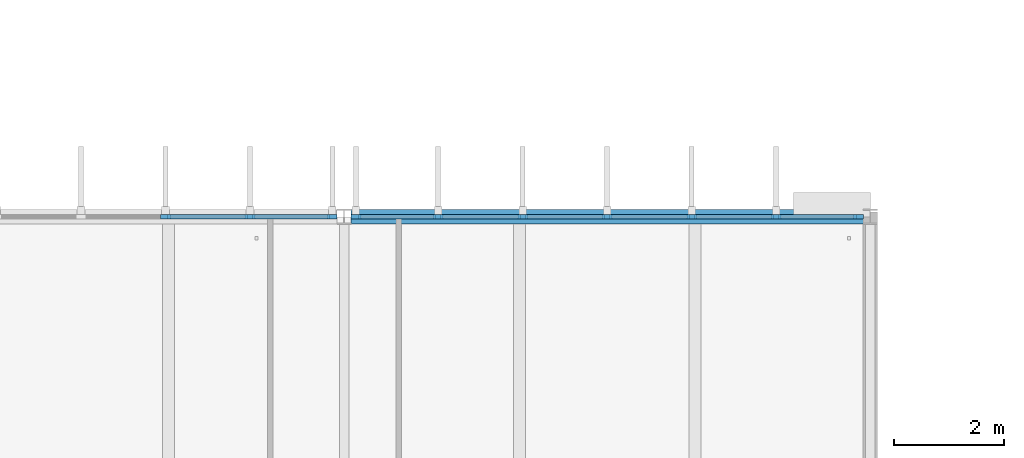
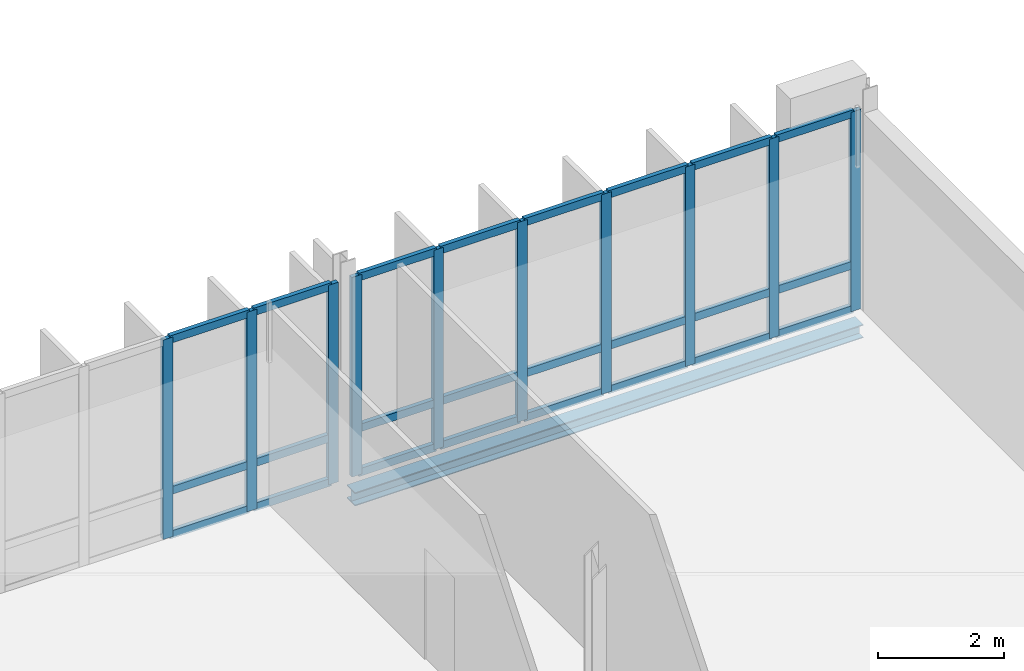
# One storey, part 26 of 59: 34 members, 1 beam, 2 elements without a shape of their own.
"""IFC4 building model written with IfcOpenShell, lengths in metres."""

import ifcopenshell
import ifcopenshell.guid

model = None  # the IFC model being written
_history = None  # IfcOwnerHistory: only IFC2X3 demands one
_inside = {}  # id of a spatial element -> (the spatial element, [elements in it])
_under = {}  # id of a project, library or spatial element -> (it, [spatial elements below it])
_declared = {}  # id of a project -> (the project, [libraries it declares])
_typed = {}  # id of a type object -> (the type object, [elements of that type])
_made_of = {}  # id of a material, layer set ... -> (it, [elements and type objects made of it])


def new_model(schema):
    """Start an empty IFC model of exactly this schema.

    Asked for "IFC4X3", IfcOpenShell would pick the latest addendum, in which some entities
    have other attributes; the version numbers below select the first issue.
    IFC2X3 requires an IfcOwnerHistory on every rooted entity: one is made here for all.
    """
    global model, _history
    if schema == "IFC4X3":
        model = ifcopenshell.file(schema_version=(4, 3, 0, 0))
    else:
        model = ifcopenshell.file(schema=schema)
    _inside.clear()
    _under.clear()
    _declared.clear()
    _typed.clear()
    _made_of.clear()
    _history = None
    if model.schema == "IFC2X3":
        org = make("IfcOrganization", Name="unknown")
        user = make(
            "IfcPersonAndOrganization",
            ThePerson=make("IfcPerson", FamilyName="unknown"),
            TheOrganization=org,
        )
        app = make(
            "IfcApplication",
            ApplicationDeveloper=org,
            Version="unknown",
            ApplicationFullName="unknown",
            ApplicationIdentifier="unknown",
        )
        _history = make(
            "IfcOwnerHistory",
            OwningUser=user,
            OwningApplication=app,
            ChangeAction="ADDED",
            CreationDate=0,
        )
    return model


def make(cls, **values):
    """One entity of the class cls with the attributes given. An attribute that is None is left unset."""
    return model.create_entity(
        cls, **{name: value for name, value in values.items() if value is not None}
    )


def rooted(cls, **values):
    """An entity with a GlobalId (a new one), such as an element, a storey or a relation."""
    return make(cls, GlobalId=ifcopenshell.guid.new(), OwnerHistory=_history, **values)


def si_unit(unit_type, name, prefix=None):
    """IfcSIUnit, for example si_unit("LENGTHUNIT", "METRE", prefix="MILLI")."""
    return make("IfcSIUnit", UnitType=unit_type, Prefix=prefix, Name=name)


def assignment(units):
    """IfcUnitAssignment: the units of a project."""
    return None if units is None else make("IfcUnitAssignment", Units=units)


def point(xyz):
    """IfcCartesianPoint."""
    return None if xyz is None else make("IfcCartesianPoint", Coordinates=xyz)


def direction(xyz):
    """IfcDirection."""
    return None if xyz is None else make("IfcDirection", DirectionRatios=xyz)


def frame(location, z_axis=None, x_axis=None):
    """IfcAxis2Placement3D, a coordinate frame: its origin and axes. An axis left out is left unset."""
    return make(
        "IfcAxis2Placement3D",
        Location=point(location),
        Axis=direction(z_axis),
        RefDirection=direction(x_axis),
    )


def frame_2d(location, x_axis=None):
    """IfcAxis2Placement2D, a coordinate frame in the plane: its origin and x axis."""
    return make(
        "IfcAxis2Placement2D", Location=point(location), RefDirection=direction(x_axis)
    )


def origin():
    """The frame at (0, 0, 0) with its axes left unset."""
    return frame((0.0, 0.0, 0.0))


def origin_2d():
    """The frame at (0, 0) in the plane with its x axis left unset."""
    return frame_2d((0.0, 0.0))


def place(relative_to, where):
    """IfcLocalPlacement: puts the frame where relative to a parent placement (None: the world)."""
    return make(
        "IfcLocalPlacement", PlacementRelTo=relative_to, RelativePlacement=where
    )


def context(
    kind, dimensions, precision=None, world=None, true_north=None, identifier=None
):
    """IfcGeometricRepresentationContext, for example the 3D "Model" context."""
    return make(
        "IfcGeometricRepresentationContext",
        ContextIdentifier=identifier,
        ContextType=kind,
        CoordinateSpaceDimension=dimensions,
        Precision=precision,
        WorldCoordinateSystem=world,
        TrueNorth=true_north,
    )


def subcontext(parent, identifier, kind, view, scale=None):
    """IfcGeometricRepresentationSubContext, for example "Body" below "Model"."""
    return make(
        "IfcGeometricRepresentationSubContext",
        ContextIdentifier=identifier,
        ContextType=kind,
        ParentContext=parent,
        TargetScale=scale,
        TargetView=view,
    )


def project(units=None, contexts=None):
    """IfcProject with its units and contexts."""
    return rooted(
        "IfcProject",
        Name="project",
        RepresentationContexts=contexts,
        UnitsInContext=assignment(units),
    )


def spatial(cls, under=None, at=None, **own):
    """A site, building, storey or space (cls), placed at a placement, below another one or the project."""
    s = rooted(cls, ObjectPlacement=at, **own)
    if under is not None:
        _under.setdefault(under.id(), (under, []))[1].append(s)
    return s


def profile(cls, at=None, kind="AREA", **sizes):
    """A parametric profile (cls). Its sizes go by their IFC names, for example OverallWidth=200.0."""
    return make(cls, ProfileType=kind, Position=at, **sizes)


def rectangle(**sizes):
    """IfcRectangleProfileDef."""
    return profile("IfcRectangleProfileDef", **sizes)


def i_section(**sizes):
    """IfcIShapeProfileDef."""
    return profile("IfcIShapeProfileDef", **sizes)


def extrude(swept, where, along, depth):
    """IfcExtrudedAreaSolid: the profile swept, set in the frame where, extruded along a direction by depth."""
    return make(
        "IfcExtrudedAreaSolid",
        SweptArea=swept,
        Position=where,
        ExtrudedDirection=direction(along),
        Depth=depth,
    )


def shape(context_of_items, identifier, shape_type, items):
    """IfcShapeRepresentation: the items that make up one representation, for example the "Body"."""
    return make(
        "IfcShapeRepresentation",
        ContextOfItems=context_of_items,
        RepresentationIdentifier=identifier,
        RepresentationType=shape_type,
        Items=items,
    )


def material(Name=None, Category=None):
    """IfcMaterial."""
    return make("IfcMaterial", Name=Name, Category=Category)


def material_profile(
    of_material, cross_section, Name=None, Category=None, Priority=None
):
    """IfcMaterialProfile: a cross section and its material."""
    return make(
        "IfcMaterialProfile",
        Name=Name,
        Material=of_material,
        Profile=cross_section,
        Priority=Priority,
        Category=Category,
    )


def profile_set(profiles, Name=None, composite=None):
    """IfcMaterialProfileSet."""
    return make(
        "IfcMaterialProfileSet",
        Name=Name,
        MaterialProfiles=profiles,
        CompositeProfile=composite,
    )


def made_of(thing, what):
    """Note that an element or type object is made of a material, layer set ...; save() writes the relation."""
    if what is not None:
        _made_of.setdefault(what.id(), (what, []))[1].append(thing)
    return thing


def type_object(cls, material=None, **own):
    """A type object (cls), such as IfcWallType, which elements share."""
    return made_of(rooted(cls, **own), material)


def element(
    cls,
    number,
    at=None,
    inside=None,
    cuts=None,
    type_object=None,
    material=None,
    context=None,
    identifier="Body",
    shape_type=None,
    held_by="IfcProductDefinitionShape",
    body=None,
    shapes=None,
    **own,
):
    """One element of the class cls, such as IfcWall. Its Tag is "e" and its number.

    at: its placement. inside: the storey or other place that contains it. cuts: it is an
    opening in that element (IfcRelVoidsElement). A single representation is given by context,
    identifier, shape_type and body (its items); several are given by shapes. held_by: the class
    of the entity that holds the representations. save() writes the other relations.
    """
    e = rooted(cls, Tag="e%d" % number, ObjectPlacement=at, **own)
    if body is not None:
        shapes = [shape(context, identifier, shape_type, body)]
    if shapes is not None:
        e.Representation = make(held_by, Representations=shapes)
    if inside is not None:
        _inside.setdefault(inside.id(), (inside, []))[1].append(e)
    if cuts is not None:
        rooted(
            "IfcRelVoidsElement", RelatingBuildingElement=cuts, RelatedOpeningElement=e
        )
    if type_object is not None:
        _typed.setdefault(type_object.id(), (type_object, []))[1].append(e)
    return made_of(e, material)


def aggregate(whole, parts):
    """IfcRelAggregates: a whole, such as a stair, and the parts it consists of."""
    return rooted("IfcRelAggregates", RelatingObject=whole, RelatedObjects=parts)


def save(model, path):
    """Write the relations noted so far, then the file.

    IfcRelAggregates (storeys below a building ...), IfcRelContainedInSpatialStructure (elements
    in a storey), IfcRelDefinesByType, IfcRelAssociatesMaterial and IfcRelDeclares: one each for
    every whole, place, type object, material and project.
    """
    for whole, parts in _under.values():
        aggregate(whole, parts)
    for where, things in _inside.values():
        rooted(
            "IfcRelContainedInSpatialStructure",
            RelatedElements=things,
            RelatingStructure=where,
        )
    for kind, things in _typed.values():
        rooted("IfcRelDefinesByType", RelatedObjects=things, RelatingType=kind)
    for what, things in _made_of.values():
        rooted("IfcRelAssociatesMaterial", RelatedObjects=things, RelatingMaterial=what)
    for by, libraries in _declared.values():
        rooted("IfcRelDeclares", RelatingContext=by, RelatedDefinitions=libraries)
    model.write(path)


model = new_model("IFC4")

# Units and contexts
model_context = context("Model", 3, precision=1e-05, world=origin(), true_north=direction((0.0, 1.0)))
body_context = subcontext(model_context, "Body", "Model", "MODEL_VIEW")
ifc_project = project(units=[si_unit("LENGTHUNIT", "METRE"), si_unit("AREAUNIT", "SQUARE_METRE"), si_unit("VOLUMEUNIT", "CUBIC_METRE"), si_unit("PLANEANGLEUNIT", "RADIAN"), si_unit("MASSUNIT", "GRAM", prefix="KILO")], contexts=[model_context])

# Site, building, storey
site_placement = place(None, origin())
site = spatial("IfcSite", under=ifc_project, at=site_placement, CompositionType="ELEMENT")
building_placement = place(site_placement, origin())
building = spatial("IfcBuilding", under=site, at=building_placement, Name="Dunescarp Central Library", CompositionType="ELEMENT")
storey_placement = place(building_placement, frame((0.0, 0.0, 18.60009765625)))
storey = spatial("IfcBuildingStorey", under=building, at=storey_placement, Name="L04", CompositionType="ELEMENT", Elevation=18.60009765625)

# Curtain wall, members
ifc_material_1 = material(Name="Marine-grade anodised aluminium 6063-T6", Category="aluminium")
curtain_wall_type = type_object("IfcCurtainWallType", Name="ARC-CW-STICK", PredefinedType="NOTDEFINED", material=ifc_material_1)
curtain_wall_1_placement = place(storey_placement, origin())
curtain_wall_1 = element("IfcCurtainWall", 1, at=curtain_wall_1_placement, inside=storey, type_object=curtain_wall_type, Name="L04 curtain wall CW-V2-072", PredefinedType="NOTDEFINED")
ifc_material_profile_1 = material_profile(ifc_material_1, rectangle(XDim=0.080078125, YDim=0.179931640625, at=origin_2d()), Name="AL 80x180")
ifc_profile_set_1 = profile_set([ifc_material_profile_1], Name="Marine-grade anodised aluminium 6063-T6")
member_type_1 = type_object("IfcMemberType", Name="ARC-CWM-180", PredefinedType="MULLION", material=ifc_profile_set_1)
member_1_placement = place(storey_placement, frame((63.941650390625, 36.800048828125, 0.0), z_axis=(0.0, 0.0, 1.0), x_axis=(0.0, 1.0, 0.0)))
member_1 = element("IfcMember", 2, at=member_1_placement, type_object=member_type_1, Name="CW-V2-072 mullion 5", PredefinedType="MULLION", context=body_context, shape_type="SweptSolid", body=[
    extrude(rectangle(XDim=0.080078125, YDim=0.179931640625, at=origin_2d()), origin(), (0.0, 0.0, 1.0), 3.87890625),
])
member_2_placement = place(storey_placement, frame((65.4833984375, 36.800048828125, 0.0), z_axis=(0.0, 0.0, 1.0), x_axis=(0.0, 1.0, 0.0)))
member_2 = element("IfcMember", 3, at=member_2_placement, type_object=member_type_1, Name="CW-V2-072 mullion 6", PredefinedType="MULLION", context=body_context, shape_type="SweptSolid", body=[
    extrude(rectangle(XDim=0.080078125, YDim=0.179931640625, at=origin_2d()), origin(), (0.0, 0.0, 1.0), 3.87890625),
])
member_3_placement = place(storey_placement, frame((66.985107421875, 36.800048828125, 0.0), z_axis=(0.0, 0.0, 1.0), x_axis=(0.0, 1.0, 0.0)))
member_3 = element("IfcMember", 4, at=member_3_placement, type_object=member_type_1, Name="CW-V2-072 mullion 7", PredefinedType="MULLION", context=body_context, shape_type="SweptSolid", body=[
    extrude(rectangle(XDim=0.080078125, YDim=0.179931640625, at=origin_2d()), origin(), (0.0, 0.0, 1.0), 3.87890625),
])

curtain_wall_2_placement = place(storey_placement, origin())
curtain_wall_2 = element("IfcCurtainWall", 5, at=curtain_wall_2_placement, inside=storey, type_object=curtain_wall_type, Name="L04 curtain wall CW-V2-073", PredefinedType="NOTDEFINED")
member_4_placement = place(storey_placement, frame((67.4150390625, 36.800048828125, 0.0), z_axis=(0.0, 0.0, 1.0), x_axis=(0.0, 1.0, 0.0)))
member_4 = element("IfcMember", 6, at=member_4_placement, type_object=member_type_1, Name="CW-V2-073 mullion 1", PredefinedType="MULLION", context=body_context, shape_type="SweptSolid", body=[
    extrude(rectangle(XDim=0.080078125, YDim=0.179931640625, at=origin_2d()), origin(), (0.0, 0.0, 1.0), 3.87890625),
])
member_5_placement = place(storey_placement, frame((68.916748046875, 36.800048828125, 0.0), z_axis=(0.0, 0.0, 1.0), x_axis=(0.0, 1.0, 0.0)))
member_5 = element("IfcMember", 7, at=member_5_placement, type_object=member_type_1, Name="CW-V2-073 mullion 2", PredefinedType="MULLION", context=body_context, shape_type="SweptSolid", body=[
    extrude(rectangle(XDim=0.080078125, YDim=0.179931640625, at=origin_2d()), origin(), (0.0, 0.0, 1.0), 3.87890625),
])
member_6_placement = place(storey_placement, frame((70.458251953125, 36.800048828125, 0.0), z_axis=(0.0, 0.0, 1.0), x_axis=(0.0, 1.0, 0.0)))
member_6 = element("IfcMember", 8, at=member_6_placement, type_object=member_type_1, Name="CW-V2-073 mullion 3", PredefinedType="MULLION", context=body_context, shape_type="SweptSolid", body=[
    extrude(rectangle(XDim=0.080078125, YDim=0.179931640625, at=origin_2d()), origin(), (0.0, 0.0, 1.0), 3.87890625),
])
member_7_placement = place(storey_placement, frame((72.0, 36.800048828125, 0.0), z_axis=(0.0, 0.0, 1.0), x_axis=(0.0, 1.0, 0.0)))
member_7 = element("IfcMember", 9, at=member_7_placement, type_object=member_type_1, Name="CW-V2-073 mullion 4", PredefinedType="MULLION", context=body_context, shape_type="SweptSolid", body=[
    extrude(rectangle(XDim=0.080078125, YDim=0.179931640625, at=origin_2d()), origin(), (0.0, 0.0, 1.0), 3.87890625),
])
member_8_placement = place(storey_placement, frame((73.541748046875, 36.800048828125, 0.0), z_axis=(0.0, 0.0, 1.0), x_axis=(0.0, 1.0, 0.0)))
member_8 = element("IfcMember", 10, at=member_8_placement, type_object=member_type_1, Name="CW-V2-073 mullion 5", PredefinedType="MULLION", context=body_context, shape_type="SweptSolid", body=[
    extrude(rectangle(XDim=0.080078125, YDim=0.179931640625, at=origin_2d()), origin(), (0.0, 0.0, 1.0), 3.87890625),
])
member_9_placement = place(storey_placement, frame((75.083251953125, 36.800048828125, 0.0), z_axis=(0.0, 0.0, 1.0), x_axis=(0.0, 1.0, 0.0)))
member_9 = element("IfcMember", 11, at=member_9_placement, type_object=member_type_1, Name="CW-V2-073 mullion 6", PredefinedType="MULLION", context=body_context, shape_type="SweptSolid", body=[
    extrude(rectangle(XDim=0.080078125, YDim=0.179931640625, at=origin_2d()), origin(), (0.0, 0.0, 1.0), 3.87890625),
])
member_10_placement = place(storey_placement, frame((76.5849609375, 36.800048828125, 0.0), z_axis=(0.0, 0.0, 1.0), x_axis=(0.0, 1.0, 0.0)))
member_10 = element("IfcMember", 12, at=member_10_placement, type_object=member_type_1, Name="CW-V2-073 mullion 7", PredefinedType="MULLION", context=body_context, shape_type="SweptSolid", body=[
    extrude(rectangle(XDim=0.080078125, YDim=0.179931640625, at=origin_2d()), origin(), (0.0, 0.0, 1.0), 3.87890625),
])

# Member
ifc_material_profile_2 = material_profile(ifc_material_1, rectangle(XDim=0.080078125, YDim=0.14990234375, at=origin_2d()), Name="AL 80x150")
ifc_profile_set_2 = profile_set([ifc_material_profile_2], Name="Marine-grade anodised aluminium 6063-T6")
member_type_2 = type_object("IfcMemberType", Name="ARC-CWT-150", PredefinedType="USERDEFINED", material=ifc_profile_set_2)
member_11_placement = place(storey_placement, frame((63.981689453125, 36.800048828125, 0.039794921875), z_axis=(1.0, 0.0, 0.0), x_axis=(0.0, 1.0, 0.0)))
member_11 = element("IfcMember", 13, at=member_11_placement, type_object=member_type_2, Name="CW-V2-072 transom 5.1", ObjectType="TRANSOM", PredefinedType="USERDEFINED", context=body_context, shape_type="SweptSolid", body=[
    extrude(rectangle(XDim=0.080078125, YDim=0.14990234375, at=origin_2d()), origin(), (0.0, 0.0, 1.0), 1.461669921875),
])

member_12_placement = place(storey_placement, frame((63.981689453125, 36.800048828125, 0.89990234375), z_axis=(1.0, 0.0, 0.0), x_axis=(0.0, 1.0, 0.0)))
member_12 = element("IfcMember", 14, at=member_12_placement, type_object=member_type_2, Name="CW-V2-072 transom 5.2", ObjectType="TRANSOM", PredefinedType="USERDEFINED", context=body_context, shape_type="SweptSolid", body=[
    extrude(rectangle(XDim=0.080078125, YDim=0.14990234375, at=origin_2d()), origin(), (0.0, 0.0, 1.0), 1.461669921875),
])

member_13_placement = place(storey_placement, frame((63.981689453125, 36.800048828125, 3.8388671875), z_axis=(1.0, 0.0, 0.0), x_axis=(0.0, 1.0, 0.0)))
member_13 = element("IfcMember", 15, at=member_13_placement, type_object=member_type_2, Name="CW-V2-072 transom 5.3", ObjectType="TRANSOM", PredefinedType="USERDEFINED", context=body_context, shape_type="SweptSolid", body=[
    extrude(rectangle(XDim=0.080078125, YDim=0.14990234375, at=origin_2d()), origin(), (0.0, 0.0, 1.0), 1.461669921875),
])

member_14_placement = place(storey_placement, frame((65.5234375, 36.800048828125, 0.039794921875), z_axis=(1.0, 0.0, 0.0), x_axis=(0.0, 1.0, 0.0)))
member_14 = element("IfcMember", 16, at=member_14_placement, type_object=member_type_2, Name="CW-V2-072 transom 6.1", ObjectType="TRANSOM", PredefinedType="USERDEFINED", context=body_context, shape_type="SweptSolid", body=[
    extrude(rectangle(XDim=0.080078125, YDim=0.14990234375, at=origin_2d()), origin(), (0.0, 0.0, 1.0), 1.421630859375),
])

member_15_placement = place(storey_placement, frame((65.5234375, 36.800048828125, 0.89990234375), z_axis=(1.0, 0.0, 0.0), x_axis=(0.0, 1.0, 0.0)))
member_15 = element("IfcMember", 17, at=member_15_placement, type_object=member_type_2, Name="CW-V2-072 transom 6.2", ObjectType="TRANSOM", PredefinedType="USERDEFINED", context=body_context, shape_type="SweptSolid", body=[
    extrude(rectangle(XDim=0.080078125, YDim=0.14990234375, at=origin_2d()), origin(), (0.0, 0.0, 1.0), 1.421630859375),
])

member_16_placement = place(storey_placement, frame((65.5234375, 36.800048828125, 3.8388671875), z_axis=(1.0, 0.0, 0.0), x_axis=(0.0, 1.0, 0.0)))
member_16 = element("IfcMember", 18, at=member_16_placement, type_object=member_type_2, Name="CW-V2-072 transom 6.3", ObjectType="TRANSOM", PredefinedType="USERDEFINED", context=body_context, shape_type="SweptSolid", body=[
    extrude(rectangle(XDim=0.080078125, YDim=0.14990234375, at=origin_2d()), origin(), (0.0, 0.0, 1.0), 1.421630859375),
])

aggregate(curtain_wall_1, [member_1, member_2, member_3, member_11, member_12, member_13, member_14, member_15, member_16])

member_17_placement = place(storey_placement, frame((67.455078125, 36.800048828125, 0.039794921875), z_axis=(1.0, 0.0, 0.0), x_axis=(0.0, 1.0, 0.0)))
member_17 = element("IfcMember", 19, at=member_17_placement, type_object=member_type_2, Name="CW-V2-073 transom 1.1", ObjectType="TRANSOM", PredefinedType="USERDEFINED", context=body_context, shape_type="SweptSolid", body=[
    extrude(rectangle(XDim=0.080078125, YDim=0.14990234375, at=origin_2d()), origin(), (0.0, 0.0, 1.0), 1.421630859375),
])

member_18_placement = place(storey_placement, frame((67.455078125, 36.800048828125, 0.89990234375), z_axis=(1.0, 0.0, 0.0), x_axis=(0.0, 1.0, 0.0)))
member_18 = element("IfcMember", 20, at=member_18_placement, type_object=member_type_2, Name="CW-V2-073 transom 1.2", ObjectType="TRANSOM", PredefinedType="USERDEFINED", context=body_context, shape_type="SweptSolid", body=[
    extrude(rectangle(XDim=0.080078125, YDim=0.14990234375, at=origin_2d()), origin(), (0.0, 0.0, 1.0), 1.421630859375),
])

member_19_placement = place(storey_placement, frame((67.455078125, 36.800048828125, 3.8388671875), z_axis=(1.0, 0.0, 0.0), x_axis=(0.0, 1.0, 0.0)))
member_19 = element("IfcMember", 21, at=member_19_placement, type_object=member_type_2, Name="CW-V2-073 transom 1.3", ObjectType="TRANSOM", PredefinedType="USERDEFINED", context=body_context, shape_type="SweptSolid", body=[
    extrude(rectangle(XDim=0.080078125, YDim=0.14990234375, at=origin_2d()), origin(), (0.0, 0.0, 1.0), 1.421630859375),
])

member_20_placement = place(storey_placement, frame((68.956787109375, 36.800048828125, 0.039794921875), z_axis=(1.0, 0.0, 0.0), x_axis=(0.0, 1.0, 0.0)))
member_20 = element("IfcMember", 22, at=member_20_placement, type_object=member_type_2, Name="CW-V2-073 transom 2.1", ObjectType="TRANSOM", PredefinedType="USERDEFINED", context=body_context, shape_type="SweptSolid", body=[
    extrude(rectangle(XDim=0.080078125, YDim=0.14990234375, at=origin_2d()), origin(), (0.0, 0.0, 1.0), 1.46142578125),
])

member_21_placement = place(storey_placement, frame((68.956787109375, 36.800048828125, 0.89990234375), z_axis=(1.0, 0.0, 0.0), x_axis=(0.0, 1.0, 0.0)))
member_21 = element("IfcMember", 23, at=member_21_placement, type_object=member_type_2, Name="CW-V2-073 transom 2.2", ObjectType="TRANSOM", PredefinedType="USERDEFINED", context=body_context, shape_type="SweptSolid", body=[
    extrude(rectangle(XDim=0.080078125, YDim=0.14990234375, at=origin_2d()), origin(), (0.0, 0.0, 1.0), 1.46142578125),
])

member_22_placement = place(storey_placement, frame((68.956787109375, 36.800048828125, 3.8388671875), z_axis=(1.0, 0.0, 0.0), x_axis=(0.0, 1.0, 0.0)))
member_22 = element("IfcMember", 24, at=member_22_placement, type_object=member_type_2, Name="CW-V2-073 transom 2.3", ObjectType="TRANSOM", PredefinedType="USERDEFINED", context=body_context, shape_type="SweptSolid", body=[
    extrude(rectangle(XDim=0.080078125, YDim=0.14990234375, at=origin_2d()), origin(), (0.0, 0.0, 1.0), 1.46142578125),
])

member_23_placement = place(storey_placement, frame((70.498291015625, 36.800048828125, 0.039794921875), z_axis=(1.0, 0.0, 0.0), x_axis=(0.0, 1.0, 0.0)))
member_23 = element("IfcMember", 25, at=member_23_placement, type_object=member_type_2, Name="CW-V2-073 transom 3.1", ObjectType="TRANSOM", PredefinedType="USERDEFINED", context=body_context, shape_type="SweptSolid", body=[
    extrude(rectangle(XDim=0.080078125, YDim=0.14990234375, at=origin_2d()), origin(), (0.0, 0.0, 1.0), 1.461669921875),
])

member_24_placement = place(storey_placement, frame((70.498291015625, 36.800048828125, 0.89990234375), z_axis=(1.0, 0.0, 0.0), x_axis=(0.0, 1.0, 0.0)))
member_24 = element("IfcMember", 26, at=member_24_placement, type_object=member_type_2, Name="CW-V2-073 transom 3.2", ObjectType="TRANSOM", PredefinedType="USERDEFINED", context=body_context, shape_type="SweptSolid", body=[
    extrude(rectangle(XDim=0.080078125, YDim=0.14990234375, at=origin_2d()), origin(), (0.0, 0.0, 1.0), 1.461669921875),
])

member_25_placement = place(storey_placement, frame((70.498291015625, 36.800048828125, 3.8388671875), z_axis=(1.0, 0.0, 0.0), x_axis=(0.0, 1.0, 0.0)))
member_25 = element("IfcMember", 27, at=member_25_placement, type_object=member_type_2, Name="CW-V2-073 transom 3.3", ObjectType="TRANSOM", PredefinedType="USERDEFINED", context=body_context, shape_type="SweptSolid", body=[
    extrude(rectangle(XDim=0.080078125, YDim=0.14990234375, at=origin_2d()), origin(), (0.0, 0.0, 1.0), 1.461669921875),
])

member_26_placement = place(storey_placement, frame((72.0400390625, 36.800048828125, 0.039794921875), z_axis=(1.0, 0.0, 0.0), x_axis=(0.0, 1.0, 0.0)))
member_26 = element("IfcMember", 28, at=member_26_placement, type_object=member_type_2, Name="CW-V2-073 transom 4.1", ObjectType="TRANSOM", PredefinedType="USERDEFINED", context=body_context, shape_type="SweptSolid", body=[
    extrude(rectangle(XDim=0.080078125, YDim=0.14990234375, at=origin_2d()), origin(), (0.0, 0.0, 1.0), 1.461669921875),
])

member_27_placement = place(storey_placement, frame((72.0400390625, 36.800048828125, 0.89990234375), z_axis=(1.0, 0.0, 0.0), x_axis=(0.0, 1.0, 0.0)))
member_27 = element("IfcMember", 29, at=member_27_placement, type_object=member_type_2, Name="CW-V2-073 transom 4.2", ObjectType="TRANSOM", PredefinedType="USERDEFINED", context=body_context, shape_type="SweptSolid", body=[
    extrude(rectangle(XDim=0.080078125, YDim=0.14990234375, at=origin_2d()), origin(), (0.0, 0.0, 1.0), 1.461669921875),
])

member_28_placement = place(storey_placement, frame((72.0400390625, 36.800048828125, 3.8388671875), z_axis=(1.0, 0.0, 0.0), x_axis=(0.0, 1.0, 0.0)))
member_28 = element("IfcMember", 30, at=member_28_placement, type_object=member_type_2, Name="CW-V2-073 transom 4.3", ObjectType="TRANSOM", PredefinedType="USERDEFINED", context=body_context, shape_type="SweptSolid", body=[
    extrude(rectangle(XDim=0.080078125, YDim=0.14990234375, at=origin_2d()), origin(), (0.0, 0.0, 1.0), 1.461669921875),
])

member_29_placement = place(storey_placement, frame((73.581787109375, 36.800048828125, 0.039794921875), z_axis=(1.0, 0.0, 0.0), x_axis=(0.0, 1.0, 0.0)))
member_29 = element("IfcMember", 31, at=member_29_placement, type_object=member_type_2, Name="CW-V2-073 transom 5.1", ObjectType="TRANSOM", PredefinedType="USERDEFINED", context=body_context, shape_type="SweptSolid", body=[
    extrude(rectangle(XDim=0.080078125, YDim=0.14990234375, at=origin_2d()), origin(), (0.0, 0.0, 1.0), 1.46142578125),
])

member_30_placement = place(storey_placement, frame((73.581787109375, 36.800048828125, 0.89990234375), z_axis=(1.0, 0.0, 0.0), x_axis=(0.0, 1.0, 0.0)))
member_30 = element("IfcMember", 32, at=member_30_placement, type_object=member_type_2, Name="CW-V2-073 transom 5.2", ObjectType="TRANSOM", PredefinedType="USERDEFINED", context=body_context, shape_type="SweptSolid", body=[
    extrude(rectangle(XDim=0.080078125, YDim=0.14990234375, at=origin_2d()), origin(), (0.0, 0.0, 1.0), 1.46142578125),
])

member_31_placement = place(storey_placement, frame((73.581787109375, 36.800048828125, 3.8388671875), z_axis=(1.0, 0.0, 0.0), x_axis=(0.0, 1.0, 0.0)))
member_31 = element("IfcMember", 33, at=member_31_placement, type_object=member_type_2, Name="CW-V2-073 transom 5.3", ObjectType="TRANSOM", PredefinedType="USERDEFINED", context=body_context, shape_type="SweptSolid", body=[
    extrude(rectangle(XDim=0.080078125, YDim=0.14990234375, at=origin_2d()), origin(), (0.0, 0.0, 1.0), 1.46142578125),
])

member_32_placement = place(storey_placement, frame((75.123291015625, 36.800048828125, 0.039794921875), z_axis=(1.0, 0.0, 0.0), x_axis=(0.0, 1.0, 0.0)))
member_32 = element("IfcMember", 34, at=member_32_placement, type_object=member_type_2, Name="CW-V2-073 transom 6.1", ObjectType="TRANSOM", PredefinedType="USERDEFINED", context=body_context, shape_type="SweptSolid", body=[
    extrude(rectangle(XDim=0.080078125, YDim=0.14990234375, at=origin_2d()), origin(), (0.0, 0.0, 1.0), 1.421630859375),
])

member_33_placement = place(storey_placement, frame((75.123291015625, 36.800048828125, 0.89990234375), z_axis=(1.0, 0.0, 0.0), x_axis=(0.0, 1.0, 0.0)))
member_33 = element("IfcMember", 35, at=member_33_placement, type_object=member_type_2, Name="CW-V2-073 transom 6.2", ObjectType="TRANSOM", PredefinedType="USERDEFINED", context=body_context, shape_type="SweptSolid", body=[
    extrude(rectangle(XDim=0.080078125, YDim=0.14990234375, at=origin_2d()), origin(), (0.0, 0.0, 1.0), 1.421630859375),
])

member_34_placement = place(storey_placement, frame((75.123291015625, 36.800048828125, 3.8388671875), z_axis=(1.0, 0.0, 0.0), x_axis=(0.0, 1.0, 0.0)))
member_34 = element("IfcMember", 36, at=member_34_placement, type_object=member_type_2, Name="CW-V2-073 transom 6.3", ObjectType="TRANSOM", PredefinedType="USERDEFINED", context=body_context, shape_type="SweptSolid", body=[
    extrude(rectangle(XDim=0.080078125, YDim=0.14990234375, at=origin_2d()), origin(), (0.0, 0.0, 1.0), 1.421630859375),
])

aggregate(curtain_wall_2, [member_4, member_5, member_6, member_7, member_8, member_9, member_10, member_17, member_18, member_19, member_20, member_21, member_22, member_23, member_24, member_25, member_26, member_27, member_28, member_29, member_30, member_31, member_32, member_33, member_34])

# Beam
ifc_material_2 = material(Name="Steel S355JR", Category="steel")
ifc_material_profile_3 = material_profile(ifc_material_2, i_section(OverallWidth=0.260009765625, OverallDepth=0.260009765625, WebThickness=0.010009765625, FlangeThickness=0.017578125, at=origin_2d()), Name="HEB 260")
ifc_profile_set_3 = profile_set([ifc_material_profile_3], Name="Steel S355JR")
beam_type = type_object("IfcBeamType", Name="STR-BM-HEB260", PredefinedType="BEAM", material=ifc_profile_set_3)
beam_placement = place(storey_placement, frame((67.327880859375, 36.800048828125, -0.380126953125), z_axis=(1.0, 0.0, 0.0), x_axis=(0.0, 1.0, 0.0)))
element("IfcBeam", 37, at=beam_placement, inside=storey, type_object=beam_type, Name="L04 girder BM-L04-0601", PredefinedType="BEAM", context=body_context, shape_type="SweptSolid", body=[
    extrude(i_section(OverallWidth=0.260009765625, OverallDepth=0.260009765625, WebThickness=0.010009765625, FlangeThickness=0.017578125, at=origin_2d()), origin(), (0.0, 0.0, 1.0), 9.34423828125),
])

save(model, "model.ifc")
